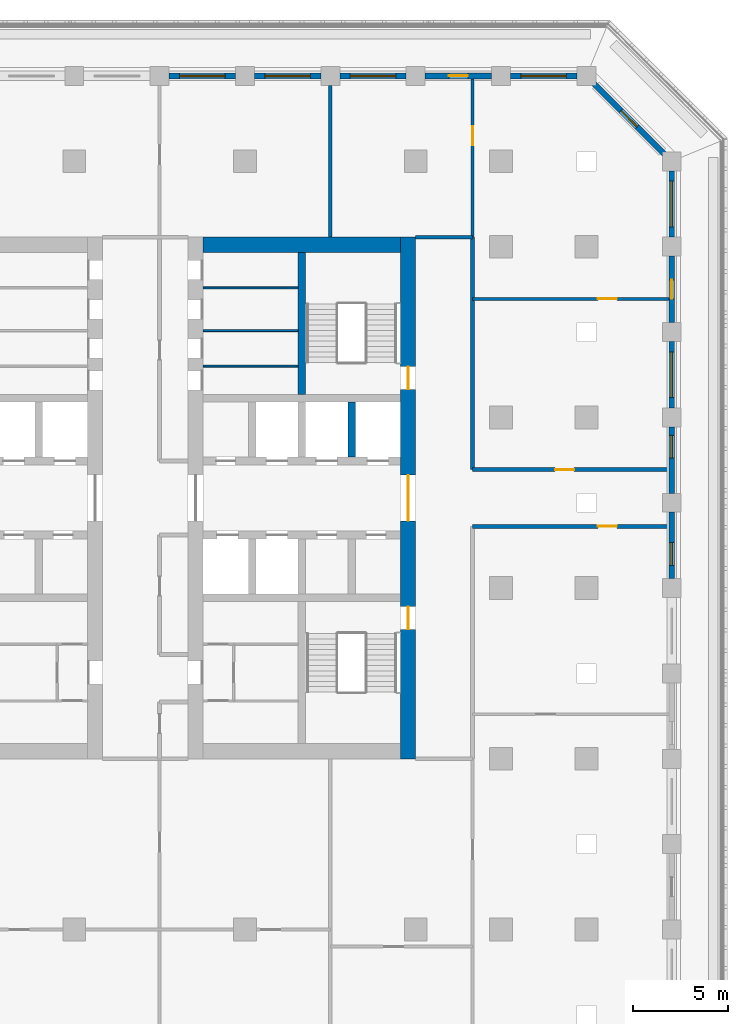
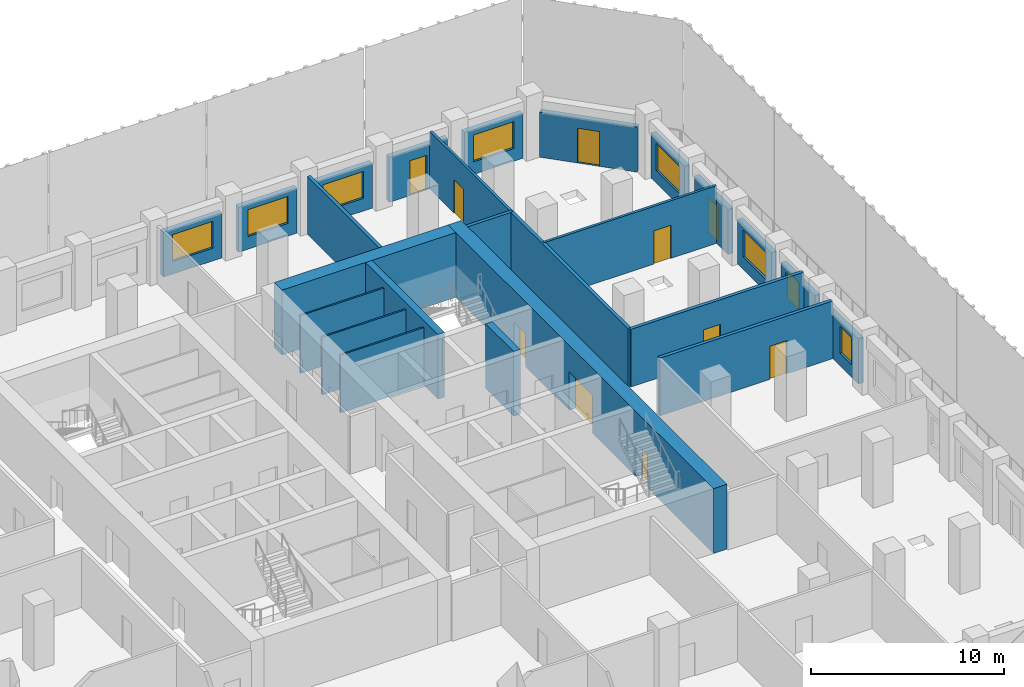
# One storey, part 7 of 16: 25 walls, 10 doors, 8 windows, 18 openings.
"""IFC4 building model written with IfcOpenShell, lengths in metres."""

import ifcopenshell
import ifcopenshell.guid

model = None  # the IFC model being written
_history = None  # IfcOwnerHistory: only IFC2X3 demands one
_inside = {}  # id of a spatial element -> (the spatial element, [elements in it])
_under = {}  # id of a project, library or spatial element -> (it, [spatial elements below it])
_declared = {}  # id of a project -> (the project, [libraries it declares])
_typed = {}  # id of a type object -> (the type object, [elements of that type])
_made_of = {}  # id of a material, layer set ... -> (it, [elements and type objects made of it])


def new_model(schema):
    """Start an empty IFC model of exactly this schema.

    Asked for "IFC4X3", IfcOpenShell would pick the latest addendum, in which some entities
    have other attributes; the version numbers below select the first issue.
    IFC2X3 requires an IfcOwnerHistory on every rooted entity: one is made here for all.
    """
    global model, _history
    if schema == "IFC4X3":
        model = ifcopenshell.file(schema_version=(4, 3, 0, 0))
    else:
        model = ifcopenshell.file(schema=schema)
    _inside.clear()
    _under.clear()
    _declared.clear()
    _typed.clear()
    _made_of.clear()
    _history = None
    if model.schema == "IFC2X3":
        org = make("IfcOrganization", Name="unknown")
        user = make(
            "IfcPersonAndOrganization",
            ThePerson=make("IfcPerson", FamilyName="unknown"),
            TheOrganization=org,
        )
        app = make(
            "IfcApplication",
            ApplicationDeveloper=org,
            Version="unknown",
            ApplicationFullName="unknown",
            ApplicationIdentifier="unknown",
        )
        _history = make(
            "IfcOwnerHistory",
            OwningUser=user,
            OwningApplication=app,
            ChangeAction="ADDED",
            CreationDate=0,
        )
    return model


def make(cls, **values):
    """One entity of the class cls with the attributes given. An attribute that is None is left unset."""
    return model.create_entity(
        cls, **{name: value for name, value in values.items() if value is not None}
    )


def rooted(cls, **values):
    """An entity with a GlobalId (a new one), such as an element, a storey or a relation."""
    return make(cls, GlobalId=ifcopenshell.guid.new(), OwnerHistory=_history, **values)


def si_unit(unit_type, name, prefix=None):
    """IfcSIUnit, for example si_unit("LENGTHUNIT", "METRE", prefix="MILLI")."""
    return make("IfcSIUnit", UnitType=unit_type, Prefix=prefix, Name=name)


def assignment(units):
    """IfcUnitAssignment: the units of a project."""
    return None if units is None else make("IfcUnitAssignment", Units=units)


def point(xyz):
    """IfcCartesianPoint."""
    return None if xyz is None else make("IfcCartesianPoint", Coordinates=xyz)


def direction(xyz):
    """IfcDirection."""
    return None if xyz is None else make("IfcDirection", DirectionRatios=xyz)


def frame(location, z_axis=None, x_axis=None):
    """IfcAxis2Placement3D, a coordinate frame: its origin and axes. An axis left out is left unset."""
    return make(
        "IfcAxis2Placement3D",
        Location=point(location),
        Axis=direction(z_axis),
        RefDirection=direction(x_axis),
    )


def frame_2d(location, x_axis=None):
    """IfcAxis2Placement2D, a coordinate frame in the plane: its origin and x axis."""
    return make(
        "IfcAxis2Placement2D", Location=point(location), RefDirection=direction(x_axis)
    )


def origin():
    """The frame at (0, 0, 0) with its axes left unset."""
    return frame((0.0, 0.0, 0.0))


def place(relative_to, where):
    """IfcLocalPlacement: puts the frame where relative to a parent placement (None: the world)."""
    return make(
        "IfcLocalPlacement", PlacementRelTo=relative_to, RelativePlacement=where
    )


def context(
    kind, dimensions, precision=None, world=None, true_north=None, identifier=None
):
    """IfcGeometricRepresentationContext, for example the 3D "Model" context."""
    return make(
        "IfcGeometricRepresentationContext",
        ContextIdentifier=identifier,
        ContextType=kind,
        CoordinateSpaceDimension=dimensions,
        Precision=precision,
        WorldCoordinateSystem=world,
        TrueNorth=true_north,
    )


def subcontext(parent, identifier, kind, view, scale=None):
    """IfcGeometricRepresentationSubContext, for example "Body" below "Model"."""
    return make(
        "IfcGeometricRepresentationSubContext",
        ContextIdentifier=identifier,
        ContextType=kind,
        ParentContext=parent,
        TargetScale=scale,
        TargetView=view,
    )


def project(units=None, contexts=None):
    """IfcProject with its units and contexts."""
    return rooted(
        "IfcProject",
        Name="project",
        RepresentationContexts=contexts,
        UnitsInContext=assignment(units),
    )


def spatial(cls, under=None, at=None, **own):
    """A site, building, storey or space (cls), placed at a placement, below another one or the project."""
    s = rooted(cls, ObjectPlacement=at, **own)
    if under is not None:
        _under.setdefault(under.id(), (under, []))[1].append(s)
    return s


def profile(cls, at=None, kind="AREA", **sizes):
    """A parametric profile (cls). Its sizes go by their IFC names, for example OverallWidth=200.0."""
    return make(cls, ProfileType=kind, Position=at, **sizes)


def rectangle(**sizes):
    """IfcRectangleProfileDef."""
    return profile("IfcRectangleProfileDef", **sizes)


def extrude(swept, where, along, depth):
    """IfcExtrudedAreaSolid: the profile swept, set in the frame where, extruded along a direction by depth."""
    return make(
        "IfcExtrudedAreaSolid",
        SweptArea=swept,
        Position=where,
        ExtrudedDirection=direction(along),
        Depth=depth,
    )


def shape(context_of_items, identifier, shape_type, items):
    """IfcShapeRepresentation: the items that make up one representation, for example the "Body"."""
    return make(
        "IfcShapeRepresentation",
        ContextOfItems=context_of_items,
        RepresentationIdentifier=identifier,
        RepresentationType=shape_type,
        Items=items,
    )


def material(Name=None, Category=None):
    """IfcMaterial."""
    return make("IfcMaterial", Name=Name, Category=Category)


def layer(
    of_material, thickness, ventilated=None, Name=None, Category=None, Priority=None
):
    """IfcMaterialLayer: one layer of a wall or slab, of a material (None: an air gap)."""
    return make(
        "IfcMaterialLayer",
        Material=of_material,
        LayerThickness=thickness,
        IsVentilated=ventilated,
        Name=Name,
        Category=Category,
        Priority=Priority,
    )


def layer_set(layers, Name=None):
    """IfcMaterialLayerSet."""
    return make("IfcMaterialLayerSet", MaterialLayers=layers, LayerSetName=Name)


def made_of(thing, what):
    """Note that an element or type object is made of a material, layer set ...; save() writes the relation."""
    if what is not None:
        _made_of.setdefault(what.id(), (what, []))[1].append(thing)
    return thing


def type_object(cls, material=None, **own):
    """A type object (cls), such as IfcWallType, which elements share."""
    return made_of(rooted(cls, **own), material)


def element(
    cls,
    number,
    at=None,
    inside=None,
    cuts=None,
    type_object=None,
    material=None,
    context=None,
    identifier="Body",
    shape_type=None,
    held_by="IfcProductDefinitionShape",
    body=None,
    shapes=None,
    **own,
):
    """One element of the class cls, such as IfcWall. Its Tag is "e" and its number.

    at: its placement. inside: the storey or other place that contains it. cuts: it is an
    opening in that element (IfcRelVoidsElement). A single representation is given by context,
    identifier, shape_type and body (its items); several are given by shapes. held_by: the class
    of the entity that holds the representations. save() writes the other relations.
    """
    e = rooted(cls, Tag="e%d" % number, ObjectPlacement=at, **own)
    if body is not None:
        shapes = [shape(context, identifier, shape_type, body)]
    if shapes is not None:
        e.Representation = make(held_by, Representations=shapes)
    if inside is not None:
        _inside.setdefault(inside.id(), (inside, []))[1].append(e)
    if cuts is not None:
        rooted(
            "IfcRelVoidsElement", RelatingBuildingElement=cuts, RelatedOpeningElement=e
        )
    if type_object is not None:
        _typed.setdefault(type_object.id(), (type_object, []))[1].append(e)
    return made_of(e, material)


def fill(opening, filler):
    """IfcRelFillsElement: the door or window that sits in an opening."""
    return rooted(
        "IfcRelFillsElement",
        RelatingOpeningElement=opening,
        RelatedBuildingElement=filler,
    )


def aggregate(whole, parts):
    """IfcRelAggregates: a whole, such as a stair, and the parts it consists of."""
    return rooted("IfcRelAggregates", RelatingObject=whole, RelatedObjects=parts)


def save(model, path):
    """Write the relations noted so far, then the file.

    IfcRelAggregates (storeys below a building ...), IfcRelContainedInSpatialStructure (elements
    in a storey), IfcRelDefinesByType, IfcRelAssociatesMaterial and IfcRelDeclares: one each for
    every whole, place, type object, material and project.
    """
    for whole, parts in _under.values():
        aggregate(whole, parts)
    for where, things in _inside.values():
        rooted(
            "IfcRelContainedInSpatialStructure",
            RelatedElements=things,
            RelatingStructure=where,
        )
    for kind, things in _typed.values():
        rooted("IfcRelDefinesByType", RelatedObjects=things, RelatingType=kind)
    for what, things in _made_of.values():
        rooted("IfcRelAssociatesMaterial", RelatedObjects=things, RelatingMaterial=what)
    for by, libraries in _declared.values():
        rooted("IfcRelDeclares", RelatingContext=by, RelatedDefinitions=libraries)
    model.write(path)


model = new_model("IFC4")

# Units and contexts
model_context = context("Model", 3, precision=1e-05, world=origin(), true_north=direction((0.0, 1.0)))
body_context = subcontext(model_context, "Body", "Model", "MODEL_VIEW")
ifc_project = project(units=[si_unit("LENGTHUNIT", "METRE"), si_unit("AREAUNIT", "SQUARE_METRE"), si_unit("VOLUMEUNIT", "CUBIC_METRE"), si_unit("PLANEANGLEUNIT", "RADIAN"), si_unit("MASSUNIT", "GRAM", prefix="KILO")], contexts=[model_context])

# Site, building, storey
site_placement = place(None, origin())
site = spatial("IfcSite", under=ifc_project, at=site_placement, CompositionType="ELEMENT")
building_placement = place(site_placement, origin())
building = spatial("IfcBuilding", under=site, at=building_placement, Name="Corbel Stack Research Tower", CompositionType="ELEMENT")
storey_placement = place(building_placement, frame((0.0, 0.0, 191.5)))
storey = spatial("IfcBuildingStorey", under=building, at=storey_placement, Name="L43", CompositionType="ELEMENT", Elevation=191.5)

# Walls
ifc_material_1 = material(Name="Concrete C60/75", Category="concrete")
ifc_layer_1 = layer(ifc_material_1, 0.39990234375)
ifc_layer_set_1 = layer_set([ifc_layer_1], Name="Concrete C60/75")
wall_type_1 = type_object("IfcWallType", Name="CW-400-60", PredefinedType="SHEAR", material=ifc_layer_set_1)
wall_1_placement = place(storey_placement, frame((14.625, 6.89990234375, 0.0), z_axis=(0.0, 0.0, 1.0), x_axis=(0.0, 1.0, 0.0)))
element("IfcWall", 1, at=wall_1_placement, inside=storey, type_object=wall_type_1, Name="East core wall, north shaft 3 L43", PredefinedType="SHEAR", context=body_context, shape_type="SweptSolid", body=[
    extrude(rectangle(XDim=2.900146484375, YDim=0.39990234375, at=frame_2d((1.4501953125, 0.0))), origin(), (0.0, 0.0, 1.0), 4.10009765625),
])
wall_2_placement = place(storey_placement, frame((12.0, 10.199951171875, 0.0), z_axis=(0.0, 0.0, 1.0), x_axis=(0.0, 1.0, 0.0)))
element("IfcWall", 2, at=wall_2_placement, inside=storey, type_object=wall_type_1, Name="East core wall, north stair and riser L43", PredefinedType="SHEAR", context=body_context, shape_type="SweptSolid", body=[
    extrude(rectangle(XDim=7.5, YDim=0.39990234375, at=frame_2d((3.75, 0.0))), origin(), (0.0, 0.0, 1.0), 4.10009765625),
])

# Wall, openings, doors
ifc_material_2 = material(Name="Concrete C60/75", Category="concrete")
ifc_layer_2 = layer(ifc_material_2, 0.800048828125)
ifc_layer_set_2 = layer_set([ifc_layer_2], Name="Concrete C60/75")
wall_type_2 = type_object("IfcWallType", Name="CW-800-60", PredefinedType="SHEAR", material=ifc_layer_set_2)
wall_3_placement = place(storey_placement, frame((17.60009765625, -9.0, 0.0), z_axis=(0.0, 0.0, 1.0), x_axis=(0.0, 1.0, 0.0)))
wall_3 = element("IfcWall", 3, at=wall_3_placement, inside=storey, type_object=wall_type_2, Name="East core wall, east face L43", PredefinedType="SHEAR", context=body_context, shape_type="SweptSolid", body=[
    extrude(rectangle(XDim=27.5, YDim=0.800048828125, at=frame_2d((13.75, 0.0))), origin(), (0.0, 0.0, 1.0), 4.10009765625),
])
opening_1_placement = place(wall_3_placement, frame((12.550048828125, 0.0, 0.0)))
opening_1 = element("IfcOpeningElement", 4, at=opening_1_placement, cuts=wall_3, Name="Opening CD-E-E", PredefinedType="OPENING", context=body_context, shape_type="SweptSolid", body=[
    extrude(rectangle(XDim=2.39990234375, YDim=2.39990234375, at=frame_2d((1.199951171875, 1.199951171875))), frame((0.0, 0.409912109375, 0.0), z_axis=(0.0, -1.0, 0.0), x_axis=(1.0, 0.0, 0.0)), (0.0, 0.0, 1.0), 0.820068359375),
])
opening_2_placement = place(wall_3_placement, frame((6.824951171875, 0.0, 0.0)))
opening_2 = element("IfcOpeningElement", 5, at=opening_2_placement, cuts=wall_3, Name="Opening SD-ST-E1", PredefinedType="OPENING", context=body_context, shape_type="SweptSolid", body=[
    extrude(rectangle(XDim=1.199951171875, YDim=2.10009765625, at=frame_2d((0.60009765625, 1.050048828125))), frame((0.0, 0.409912109375, 0.0), z_axis=(0.0, -1.0, 0.0), x_axis=(1.0, 0.0, 0.0)), (0.0, 0.0, 1.0), 0.820068359375),
])
opening_3_placement = place(wall_3_placement, frame((19.47509765625, 0.0, 0.0)))
opening_3 = element("IfcOpeningElement", 6, at=opening_3_placement, cuts=wall_3, Name="Opening SD-ST-E2", PredefinedType="OPENING", context=body_context, shape_type="SweptSolid", body=[
    extrude(rectangle(XDim=1.199951171875, YDim=2.10009765625, at=frame_2d((0.60009765625, 1.050048828125))), frame((0.0, 0.409912109375, 0.0), z_axis=(0.0, -1.0, 0.0), x_axis=(1.0, 0.0, 0.0)), (0.0, 0.0, 1.0), 0.820068359375),
])
ifc_material_3 = material(Name="Painted steel fire door", Category="steel")
door_type_1 = type_object("IfcDoorType", Name="Lobby door pair 2400 x 2400 FD30S", OperationType="DOUBLE_DOOR_DOUBLE_SWING", PredefinedType="DOOR", material=ifc_material_3)
door_1_placement = place(opening_1_placement, origin())
door_1 = element("IfcDoor", 7, at=door_1_placement, inside=storey, type_object=door_type_1, Name="Lift lobby door E core E", OperationType="DOUBLE_DOOR_DOUBLE_SWING", OverallHeight=2.39990234375, OverallWidth=2.39990234375, PredefinedType="DOOR", context=body_context, shape_type="SweptSolid", body=[
    extrude(rectangle(XDim=2.39990234375, YDim=2.39990234375, at=frame_2d((1.199951171875, 1.199951171875))), frame((0.0, 0.02490234375, 0.0), z_axis=(0.0, -1.0, 0.0), x_axis=(1.0, 0.0, 0.0)), (0.0, 0.0, 1.0), 0.050048828125),
])
fill(opening_1, door_1)
ifc_material_4 = material(Name="Painted steel fire door", Category="steel")
door_type_2 = type_object("IfcDoorType", Name="Stair door 1200 x 2100 FD90 right hand", OperationType="SINGLE_SWING_RIGHT", PredefinedType="DOOR", material=ifc_material_4)
door_2_placement = place(opening_2_placement, frame((1.199951171875, 0.0, 0.0), z_axis=(0.0, 0.0, 1.0), x_axis=(-1.0, 0.0, 0.0)))
door_2 = element("IfcDoor", 8, at=door_2_placement, inside=storey, type_object=door_type_2, Name="Stair door ST-E1", OperationType="SINGLE_SWING_LEFT", OverallHeight=2.10009765625, OverallWidth=1.199951171875, PredefinedType="DOOR", context=body_context, shape_type="SweptSolid", body=[
    extrude(rectangle(XDim=1.199951171875, YDim=2.10009765625, at=frame_2d((0.60009765625, 1.050048828125))), frame((0.0, 0.02490234375, 0.0), z_axis=(0.0, -1.0, 0.0), x_axis=(1.0, 0.0, 0.0)), (0.0, 0.0, 1.0), 0.050048828125),
])
fill(opening_2, door_2)
door_3_placement = place(opening_3_placement, frame((1.199951171875, 0.0, 0.0), z_axis=(0.0, 0.0, 1.0), x_axis=(-1.0, 0.0, 0.0)))
door_3 = element("IfcDoor", 9, at=door_3_placement, inside=storey, type_object=door_type_2, Name="Stair door ST-E2", OperationType="SINGLE_SWING_LEFT", OverallHeight=2.10009765625, OverallWidth=1.199951171875, PredefinedType="DOOR", context=body_context, shape_type="SweptSolid", body=[
    extrude(rectangle(XDim=1.199951171875, YDim=2.10009765625, at=frame_2d((0.60009765625, 1.050048828125))), frame((0.0, 0.02490234375, 0.0), z_axis=(0.0, -1.0, 0.0), x_axis=(1.0, 0.0, 0.0)), (0.0, 0.0, 1.0), 0.050048828125),
])
fill(opening_3, door_3)

# Walls
wall_4_placement = place(storey_placement, frame((6.800048828125, 18.10009765625, 0.0), z_axis=(0.0, 0.0, 1.0), x_axis=(1.0, 0.0, 0.0)))
element("IfcWall", 10, at=wall_4_placement, inside=storey, type_object=wall_type_2, Name="East core wall, north end L43", PredefinedType="SHEAR", context=body_context, shape_type="SweptSolid", body=[
    extrude(rectangle(XDim=10.39990234375, YDim=0.800048828125, at=frame_2d((5.199951171875, 0.0))), origin(), (0.0, 0.0, 1.0), 4.10009765625),
])
ifc_material_5 = material(Name="Gypsum board")
ifc_layer_3 = layer(ifc_material_5, 0.10009765625)
ifc_layer_set_3 = layer_set([ifc_layer_3], Name="Gypsum board")
wall_type_3 = type_object("IfcWallType", Name="Core partition 100", PredefinedType="PARTITIONING", material=ifc_layer_set_3)
for number, where, z_axis, x_axis, name in (
    (11, (6.800048828125, 11.699951171875, 0.0), (0.0, 0.0, 1.0), (1.0, 0.0, 0.0), "Core partition E"),
    (12, (6.800048828125, 13.574951171875, 0.0), (0.0, 0.0, 1.0), (1.0, 0.0, 0.0), "Core partition E"),
    (13, (6.800048828125, 15.824951171875, 0.0), (0.0, 0.0, 1.0), (1.0, 0.0, 0.0), "Core partition E"),
):
    element("IfcWall", number, at=place(storey_placement, frame(where, z_axis=z_axis, x_axis=x_axis)), inside=storey, type_object=wall_type_3, Name=name, PredefinedType="PARTITIONING", context=body_context, shape_type="SweptSolid", body=[
        extrude(rectangle(XDim=5.0, YDim=0.10009765625, at=frame_2d((2.5, 0.0))), origin(), (0.0, 0.0, 1.0), 3.64990234375),
    ])

# Wall, opening, door
ifc_material_6 = material(Name="Fire-rated gypsum board partition on steel studs", Category="steel")
ifc_layer_4 = layer(ifc_material_6, 0.14990234375)
ifc_layer_set_4 = layer_set([ifc_layer_4], Name="Fire-rated gypsum board partition on steel studs")
wall_type_4 = type_object("IfcWallType", Name="Fire-rated partition 150 EI 60", PredefinedType="PARTITIONING", material=ifc_layer_set_4)
wall_5_placement = place(storey_placement, frame((21.0, 18.5, 0.0), z_axis=(0.0, 0.0, 1.0), x_axis=(0.0, 1.0, 0.0)))
wall_5 = element("IfcWall", 14, at=wall_5_placement, inside=storey, type_object=wall_type_4, Name="Partition L43-011", PredefinedType="PARTITIONING", context=body_context, shape_type="SweptSolid", body=[
    extrude(rectangle(XDim=8.35009765625, YDim=0.14990234375, at=frame_2d((4.175048828125, 0.0))), origin(), (0.0, 0.0, 1.0), 3.64990234375),
])
opening_4_placement = place(wall_5_placement, frame((4.85009765625, 0.0, 0.0)))
opening_4 = element("IfcOpeningElement", 15, at=opening_4_placement, cuts=wall_5, Name="Opening B6V0H-020", PredefinedType="OPENING", context=body_context, shape_type="SweptSolid", body=[
    extrude(rectangle(XDim=1.0, YDim=2.10009765625, at=frame_2d((0.5, 1.050048828125))), frame((0.0, 0.0849609375, 0.0), z_axis=(0.0, -1.0, 0.0), x_axis=(1.0, 0.0, 0.0)), (0.0, 0.0, 1.0), 0.169921875),
])
ifc_material_7 = material(Name="Painted steel fire door", Category="steel")
door_type_3 = type_object("IfcDoorType", Name="Fire door FD30S 1000 x 2100", OperationType="NOTDEFINED", PredefinedType="DOOR", material=ifc_material_7)
door_4_placement = place(opening_4_placement, origin())
door_4 = element("IfcDoor", 16, at=door_4_placement, inside=storey, type_object=door_type_3, Name="Door B6V0H-020", OperationType="SINGLE_SWING_RIGHT", OverallHeight=2.10009765625, OverallWidth=1.0, PredefinedType="DOOR", context=body_context, shape_type="SweptSolid", body=[
    extrude(rectangle(XDim=1.0, YDim=2.10009765625, at=frame_2d((0.5, 1.050048828125))), frame((0.0, 0.02490234375, 0.0), z_axis=(0.0, -1.0, 0.0), x_axis=(1.0, 0.0, 0.0)), (0.0, 0.0, 1.0), 0.050048828125),
])
fill(opening_4, door_4)

# Walls
ifc_material_8 = material(Name="Fire-rated gypsum board partition on steel studs", Category="steel")
ifc_layer_5 = layer(ifc_material_8, 0.199951171875)
ifc_layer_set_5 = layer_set([ifc_layer_5], Name="Fire-rated gypsum board partition on steel studs")
wall_type_5 = type_object("IfcWallType", Name="Fire-rated partition 200 EI 60", PredefinedType="PARTITIONING", material=ifc_layer_set_5)
wall_6_placement = place(storey_placement, frame((13.5, 18.5, 0.0), z_axis=(0.0, 0.0, 1.0), x_axis=(0.0, 1.0, 0.0)))
element("IfcWall", 17, at=wall_6_placement, inside=storey, type_object=wall_type_5, Name="Partition L43-009", PredefinedType="PARTITIONING", context=body_context, shape_type="SweptSolid", body=[
    extrude(rectangle(XDim=8.0, YDim=0.199951171875, at=frame_2d((4.0, 0.0))), origin(), (0.0, 0.0, 1.0), 3.64990234375),
])
wall_7_placement = place(storey_placement, frame((21.0, 6.25, 0.0), z_axis=(0.0, 0.0, 1.0), x_axis=(0.0, 1.0, 0.0)))
element("IfcWall", 18, at=wall_7_placement, inside=storey, type_object=wall_type_5, Name="Partition L43-013", PredefinedType="PARTITIONING", context=body_context, shape_type="SweptSolid", body=[
    extrude(rectangle(XDim=12.25, YDim=0.199951171875, at=frame_2d((6.125, 0.0))), origin(), (0.0, 0.0, 1.0), 3.64990234375),
])

# Wall, opening, door
wall_8_placement = place(storey_placement, frame((31.35009765625, 3.25, 0.0), z_axis=(0.0, 0.0, 1.0), x_axis=(-1.0, 0.0, 0.0)))
wall_8 = element("IfcWall", 19, at=wall_8_placement, inside=storey, type_object=wall_type_5, Name="Partition L43-028", PredefinedType="PARTITIONING", context=body_context, shape_type="SweptSolid", body=[
    extrude(rectangle(XDim=10.35009765625, YDim=0.199951171875, at=frame_2d((5.175048828125, 0.0))), origin(), (0.0, 0.0, 1.0), 3.64990234375),
])
opening_5_placement = place(wall_8_placement, frame((2.75, 0.0, 0.0)))
opening_5 = element("IfcOpeningElement", 20, at=opening_5_placement, cuts=wall_8, Name="Opening B6V0H-009", PredefinedType="OPENING", context=body_context, shape_type="SweptSolid", body=[
    extrude(rectangle(XDim=1.0, YDim=2.10009765625, at=frame_2d((0.5, 1.050048828125))), frame((0.0, 0.10986328125, 0.0), z_axis=(0.0, -1.0, 0.0), x_axis=(1.0, 0.0, 0.0)), (0.0, 0.0, 1.0), 0.219970703125),
])
door_5_placement = place(opening_5_placement, origin())
door_5 = element("IfcDoor", 21, at=door_5_placement, inside=storey, type_object=door_type_3, Name="Door B6V0H-009", OperationType="SINGLE_SWING_LEFT", OverallHeight=2.10009765625, OverallWidth=1.0, PredefinedType="DOOR", context=body_context, shape_type="SweptSolid", body=[
    extrude(rectangle(XDim=1.0, YDim=2.10009765625, at=frame_2d((0.5, 1.050048828125))), frame((0.0, 0.02490234375, 0.0), z_axis=(0.0, -1.0, 0.0), x_axis=(1.0, 0.0, 0.0)), (0.0, 0.0, 1.0), 0.050048828125),
])
fill(opening_5, door_5)

wall_9_placement = place(storey_placement, frame((21.0, 6.25, 0.0), z_axis=(0.0, 0.0, 1.0), x_axis=(1.0, 0.0, 0.0)))
wall_9 = element("IfcWall", 22, at=wall_9_placement, inside=storey, type_object=wall_type_5, Name="Partition L43-030", PredefinedType="PARTITIONING", context=body_context, shape_type="SweptSolid", body=[
    extrude(rectangle(XDim=10.35009765625, YDim=0.199951171875, at=frame_2d((5.175048828125, 0.0))), origin(), (0.0, 0.0, 1.0), 3.64990234375),
])
opening_6_placement = place(wall_9_placement, frame((4.35009765625, 0.0, 0.0)))
opening_6 = element("IfcOpeningElement", 23, at=opening_6_placement, cuts=wall_9, Name="Opening B6V0H-015", PredefinedType="OPENING", context=body_context, shape_type="SweptSolid", body=[
    extrude(rectangle(XDim=1.0, YDim=2.10009765625, at=frame_2d((0.5, 1.050048828125))), frame((0.0, 0.10986328125, 0.0), z_axis=(0.0, -1.0, 0.0), x_axis=(1.0, 0.0, 0.0)), (0.0, 0.0, 1.0), 0.219970703125),
])
door_6_placement = place(opening_6_placement, origin())
door_6 = element("IfcDoor", 24, at=door_6_placement, inside=storey, type_object=door_type_3, Name="Door B6V0H-015", OperationType="SINGLE_SWING_LEFT", OverallHeight=2.10009765625, OverallWidth=1.0, PredefinedType="DOOR", context=body_context, shape_type="SweptSolid", body=[
    extrude(rectangle(XDim=1.0, YDim=2.10009765625, at=frame_2d((0.5, 1.050048828125))), frame((0.0, 0.02490234375, 0.0), z_axis=(0.0, -1.0, 0.0), x_axis=(1.0, 0.0, 0.0)), (0.0, 0.0, 1.0), 0.050048828125),
])
fill(opening_6, door_6)

# Wall
wall_10_placement = place(storey_placement, frame((18.0, 18.5, 0.0), z_axis=(0.0, 0.0, 1.0), x_axis=(1.0, 0.0, 0.0)))
element("IfcWall", 25, at=wall_10_placement, inside=storey, type_object=wall_type_5, Name="Partition L43-036", PredefinedType="PARTITIONING", context=body_context, shape_type="SweptSolid", body=[
    extrude(rectangle(XDim=3.0, YDim=0.199951171875, at=frame_2d((1.5, 0.0))), origin(), (0.0, 0.0, 1.0), 3.64990234375),
])

# Wall, opening, door
ifc_material_9 = material(Name="Gypsum board partition on steel studs", Category="steel")
ifc_layer_6 = layer(ifc_material_9, 0.14990234375)
ifc_layer_set_6 = layer_set([ifc_layer_6], Name="Gypsum board partition on steel studs")
wall_type_6 = type_object("IfcWallType", Name="Partition 150", PredefinedType="PARTITIONING", material=ifc_layer_set_6)
wall_11_placement = place(storey_placement, frame((21.0, 15.25, 0.0), z_axis=(0.0, 0.0, 1.0), x_axis=(1.0, 0.0, 0.0)))
wall_11 = element("IfcWall", 26, at=wall_11_placement, inside=storey, type_object=wall_type_6, Name="Partition L43-033", PredefinedType="PARTITIONING", context=body_context, shape_type="SweptSolid", body=[
    extrude(rectangle(XDim=10.35009765625, YDim=0.14990234375, at=frame_2d((5.175048828125, 0.0))), origin(), (0.0, 0.0, 1.0), 3.64990234375),
])
opening_7_placement = place(wall_11_placement, frame((6.60009765625, 0.0, 0.0)))
opening_7 = element("IfcOpeningElement", 27, at=opening_7_placement, cuts=wall_11, Name="Opening B6V0H-017", PredefinedType="OPENING", context=body_context, shape_type="SweptSolid", body=[
    extrude(rectangle(XDim=1.0, YDim=2.10009765625, at=frame_2d((0.5, 1.050048828125))), frame((0.0, 0.0849609375, 0.0), z_axis=(0.0, -1.0, 0.0), x_axis=(1.0, 0.0, 0.0)), (0.0, 0.0, 1.0), 0.169921875),
])
ifc_material_10 = material(Name="Painted timber door", Category="wood")
door_type_4 = type_object("IfcDoorType", Name="Single door 1000 x 2100", OperationType="NOTDEFINED", PredefinedType="DOOR", material=ifc_material_10)
door_7_placement = place(opening_7_placement, origin())
door_7 = element("IfcDoor", 28, at=door_7_placement, inside=storey, type_object=door_type_4, Name="Door B6V0H-017", OperationType="SINGLE_SWING_RIGHT", OverallHeight=2.10009765625, OverallWidth=1.0, PredefinedType="DOOR", context=body_context, shape_type="SweptSolid", body=[
    extrude(rectangle(XDim=1.0, YDim=2.10009765625, at=frame_2d((0.5, 1.050048828125))), frame((0.0, 0.02490234375, 0.0), z_axis=(0.0, -1.0, 0.0), x_axis=(1.0, 0.0, 0.0)), (0.0, 0.0, 1.0), 0.050048828125),
])
fill(opening_7, door_7)

# Wall, opening, window
ifc_material_11 = material(Name="Concrete C45/55", Category="concrete")
ifc_layer_7 = layer(ifc_material_11, 0.300048828125)
ifc_layer_set_7 = layer_set([ifc_layer_7], Name="Concrete C45/55")
wall_type_7 = type_object("IfcWallType", Name="Terracotta-faced concrete wall 300", PredefinedType="SOLIDWALL", material=ifc_layer_set_7)
wall_12_placement = place(storey_placement, frame((31.5, 4.0, 0.0), z_axis=(0.0, 0.0, 1.0), x_axis=(0.0, -1.0, 0.0)))
wall_12 = element("IfcWall", 29, at=wall_12_placement, inside=storey, type_object=wall_type_7, Name="Facade wall L43 E06", PredefinedType="SOLIDWALL", context=body_context, shape_type="SweptSolid", body=[
    extrude(rectangle(XDim=3.5, YDim=0.300048828125, at=frame_2d((1.75, 0.0))), origin(), (0.0, 0.0, 1.0), 2.85009765625),
])
opening_8_placement = place(wall_12_placement, frame((1.60009765625, 0.0, 0.800048828125)))
opening_8 = element("IfcOpeningElement", 30, at=opening_8_placement, cuts=wall_12, Name="Opening W2", PredefinedType="OPENING", context=body_context, shape_type="SweptSolid", body=[
    extrude(rectangle(XDim=1.199951171875, YDim=1.699951171875, at=frame_2d((0.60009765625, 0.85009765625))), frame((0.0, 0.159912109375, 0.0), z_axis=(0.0, -1.0, 0.0), x_axis=(1.0, 0.0, 0.0)), (0.0, 0.0, 1.0), 0.320068359375),
])
ifc_material_12 = material(Name="Aluminium frame, clear double glazing", Category="aluminium")
window_type_1 = type_object("IfcWindowType", Name="Window W2 1200 x 1700", PartitioningType="SINGLE_PANEL", PredefinedType="WINDOW", material=ifc_material_12)
window_1_placement = place(opening_8_placement, origin())
window_1 = element("IfcWindow", 31, at=window_1_placement, inside=storey, type_object=window_type_1, Name="Window W2 L43 E06", OverallHeight=1.699951171875, OverallWidth=1.199951171875, PartitioningType="SINGLE_PANEL", PredefinedType="WINDOW", context=body_context, shape_type="SweptSolid", body=[
    extrude(rectangle(XDim=1.199951171875, YDim=1.699951171875, at=frame_2d((0.60009765625, 0.85009765625))), frame((0.0, 0.030029296875, 0.0), z_axis=(0.0, -1.0, 0.0), x_axis=(1.0, 0.0, 0.0)), (0.0, 0.0, 1.0), 0.06005859375),
])
fill(opening_8, window_1)

wall_13_placement = place(storey_placement, frame((31.5, 8.5, 0.0), z_axis=(0.0, 0.0, 1.0), x_axis=(0.0, -1.0, 0.0)))
wall_13 = element("IfcWall", 32, at=wall_13_placement, inside=storey, type_object=wall_type_7, Name="Facade wall L43 E07", PredefinedType="SOLIDWALL", context=body_context, shape_type="SweptSolid", body=[
    extrude(rectangle(XDim=3.5, YDim=0.300048828125, at=frame_2d((1.75, 0.0))), origin(), (0.0, 0.0, 1.0), 2.85009765625),
])
opening_9_placement = place(wall_13_placement, frame((0.449951171875, 0.0, 0.800048828125)))
opening_9 = element("IfcOpeningElement", 33, at=opening_9_placement, cuts=wall_13, Name="Opening W2", PredefinedType="OPENING", context=body_context, shape_type="SweptSolid", body=[
    extrude(rectangle(XDim=1.199951171875, YDim=1.699951171875, at=frame_2d((0.60009765625, 0.85009765625))), frame((0.0, 0.159912109375, 0.0), z_axis=(0.0, -1.0, 0.0), x_axis=(1.0, 0.0, 0.0)), (0.0, 0.0, 1.0), 0.320068359375),
])
window_2_placement = place(opening_9_placement, origin())
window_2 = element("IfcWindow", 34, at=window_2_placement, inside=storey, type_object=window_type_1, Name="Window W2 L43 E07", OverallHeight=1.699951171875, OverallWidth=1.199951171875, PartitioningType="SINGLE_PANEL", PredefinedType="WINDOW", context=body_context, shape_type="SweptSolid", body=[
    extrude(rectangle(XDim=1.199951171875, YDim=1.699951171875, at=frame_2d((0.60009765625, 0.85009765625))), frame((0.0, 0.030029296875, 0.0), z_axis=(0.0, -1.0, 0.0), x_axis=(1.0, 0.0, 0.0)), (0.0, 0.0, 1.0), 0.06005859375),
])
fill(opening_9, window_2)

wall_14_placement = place(storey_placement, frame((31.5, 13.0, 0.0), z_axis=(0.0, 0.0, 1.0), x_axis=(0.0, -1.0, 0.0)))
wall_14 = element("IfcWall", 35, at=wall_14_placement, inside=storey, type_object=wall_type_7, Name="Facade wall L43 E08", PredefinedType="SOLIDWALL", context=body_context, shape_type="SweptSolid", body=[
    extrude(rectangle(XDim=3.5, YDim=0.300048828125, at=frame_2d((1.75, 0.0))), origin(), (0.0, 0.0, 1.0), 2.85009765625),
])
opening_10_placement = place(wall_14_placement, frame((0.550048828125, 0.0, 0.800048828125)))
opening_10 = element("IfcOpeningElement", 36, at=opening_10_placement, cuts=wall_14, Name="Opening W1", PredefinedType="OPENING", context=body_context, shape_type="SweptSolid", body=[
    extrude(rectangle(XDim=2.39990234375, YDim=1.699951171875, at=frame_2d((1.199951171875, 0.85009765625))), frame((0.0, 0.159912109375, 0.0), z_axis=(0.0, -1.0, 0.0), x_axis=(1.0, 0.0, 0.0)), (0.0, 0.0, 1.0), 0.320068359375),
])
ifc_material_13 = material(Name="Aluminium frame, clear double glazing", Category="aluminium")
window_type_2 = type_object("IfcWindowType", Name="Window W1 2400 x 1700", PartitioningType="SINGLE_PANEL", PredefinedType="WINDOW", material=ifc_material_13)
window_3_placement = place(opening_10_placement, origin())
window_3 = element("IfcWindow", 37, at=window_3_placement, inside=storey, type_object=window_type_2, Name="Window W1 L43 E08", OverallHeight=1.699951171875, OverallWidth=2.39990234375, PartitioningType="SINGLE_PANEL", PredefinedType="WINDOW", context=body_context, shape_type="SweptSolid", body=[
    extrude(rectangle(XDim=2.39990234375, YDim=1.699951171875, at=frame_2d((1.199951171875, 0.85009765625))), frame((0.0, 0.030029296875, 0.0), z_axis=(0.0, -1.0, 0.0), x_axis=(1.0, 0.0, 0.0)), (0.0, 0.0, 1.0), 0.06005859375),
])
fill(opening_10, window_3)

# Wall, opening, door
wall_15_placement = place(storey_placement, frame((31.5, 17.5, 0.0), z_axis=(0.0, 0.0, 1.0), x_axis=(0.0, -1.0, 0.0)))
wall_15 = element("IfcWall", 38, at=wall_15_placement, inside=storey, type_object=wall_type_7, Name="Facade wall L43 E09", PredefinedType="SOLIDWALL", context=body_context, shape_type="SweptSolid", body=[
    extrude(rectangle(XDim=3.5, YDim=0.300048828125, at=frame_2d((1.75, 0.0))), origin(), (0.0, 0.0, 1.0), 2.85009765625),
])
opening_11_placement = place(wall_15_placement, frame((1.25, 0.0, 0.0)))
opening_11 = element("IfcOpeningElement", 39, at=opening_11_placement, cuts=wall_15, Name="Opening L43-B05", PredefinedType="OPENING", context=body_context, shape_type="SweptSolid", body=[
    extrude(rectangle(XDim=1.0, YDim=2.199951171875, at=frame_2d((0.5, 1.10009765625))), frame((0.0, 0.159912109375, 0.0), z_axis=(0.0, -1.0, 0.0), x_axis=(1.0, 0.0, 0.0)), (0.0, 0.0, 1.0), 0.320068359375),
])
ifc_material_14 = material(Name="Aluminium frame, clear double glazing", Category="aluminium")
door_type_5 = type_object("IfcDoorType", Name="Balcony door BD1 1000 x 2200", OperationType="NOTDEFINED", PredefinedType="DOOR", material=ifc_material_14)
door_8_placement = place(opening_11_placement, origin())
door_8 = element("IfcDoor", 40, at=door_8_placement, inside=storey, type_object=door_type_5, Name="Balcony door L43-B05", OperationType="SINGLE_SWING_RIGHT", OverallHeight=2.199951171875, OverallWidth=1.0, PredefinedType="DOOR", context=body_context, shape_type="SweptSolid", body=[
    extrude(rectangle(XDim=1.0, YDim=2.199951171875, at=frame_2d((0.5, 1.10009765625))), frame((0.0, 0.02490234375, 0.0), z_axis=(0.0, -1.0, 0.0), x_axis=(1.0, 0.0, 0.0)), (0.0, 0.0, 1.0), 0.050048828125),
])
fill(opening_11, door_8)

# Wall, opening, window
wall_16_placement = place(storey_placement, frame((31.5, 22.0, 0.0), z_axis=(0.0, 0.0, 1.0), x_axis=(0.0, -1.0, 0.0)))
wall_16 = element("IfcWall", 41, at=wall_16_placement, inside=storey, type_object=wall_type_7, Name="Facade wall L43 E10", PredefinedType="SOLIDWALL", context=body_context, shape_type="SweptSolid", body=[
    extrude(rectangle(XDim=3.5, YDim=0.300048828125, at=frame_2d((1.75, 0.0))), origin(), (0.0, 0.0, 1.0), 2.85009765625),
])
opening_12_placement = place(wall_16_placement, frame((0.550048828125, 0.0, 0.800048828125)))
opening_12 = element("IfcOpeningElement", 42, at=opening_12_placement, cuts=wall_16, Name="Opening W1", PredefinedType="OPENING", context=body_context, shape_type="SweptSolid", body=[
    extrude(rectangle(XDim=2.39990234375, YDim=1.699951171875, at=frame_2d((1.199951171875, 0.85009765625))), frame((0.0, 0.159912109375, 0.0), z_axis=(0.0, -1.0, 0.0), x_axis=(1.0, 0.0, 0.0)), (0.0, 0.0, 1.0), 0.320068359375),
])
window_4_placement = place(opening_12_placement, origin())
window_4 = element("IfcWindow", 43, at=window_4_placement, inside=storey, type_object=window_type_2, Name="Window W1 L43 E10", OverallHeight=1.699951171875, OverallWidth=2.39990234375, PartitioningType="SINGLE_PANEL", PredefinedType="WINDOW", context=body_context, shape_type="SweptSolid", body=[
    extrude(rectangle(XDim=2.39990234375, YDim=1.699951171875, at=frame_2d((1.199951171875, 0.85009765625))), frame((0.0, 0.030029296875, 0.0), z_axis=(0.0, -1.0, 0.0), x_axis=(1.0, 0.0, 0.0)), (0.0, 0.0, 1.0), 0.06005859375),
])
fill(opening_12, window_4)

# Wall, opening, door
wall_17_placement = place(storey_placement, frame((27.393798828125, 26.606201171875, 0.0), z_axis=(0.0, 0.0, 1.0), x_axis=(0.707106781187, -0.707106781187, 0.0)))
wall_17 = element("IfcWall", 44, at=wall_17_placement, inside=storey, type_object=wall_type_7, Name="Facade wall L43 NE01", PredefinedType="SOLIDWALL", context=body_context, shape_type="SweptSolid", body=[
    extrude(rectangle(XDim=5.250244140625, YDim=0.300048828125, at=frame_2d((2.625, 0.0))), origin(), (0.0, 0.0, 1.0), 2.85009765625),
])
opening_13_placement = place(wall_17_placement, frame((2.02490234375, 0.0, 0.0)))
opening_13 = element("IfcOpeningElement", 45, at=opening_13_placement, cuts=wall_17, Name="Opening L43-B06", PredefinedType="OPENING", context=body_context, shape_type="SweptSolid", body=[
    extrude(rectangle(XDim=1.199951171875, YDim=2.199951171875, at=frame_2d((0.60009765625, 1.10009765625))), frame((0.0, 0.159912109375, 0.0), z_axis=(0.0, -1.0, 0.0), x_axis=(1.0, 0.0, 0.0)), (0.0, 0.0, 1.0), 0.320068359375),
])
ifc_material_15 = material(Name="Aluminium frame, clear double glazing", Category="aluminium")
door_type_6 = type_object("IfcDoorType", Name="Balcony door BD2 1200 x 2200", OperationType="NOTDEFINED", PredefinedType="DOOR", material=ifc_material_15)
door_9_placement = place(opening_13_placement, origin())
door_9 = element("IfcDoor", 46, at=door_9_placement, inside=storey, type_object=door_type_6, Name="Balcony door L43-B06", OperationType="SINGLE_SWING_RIGHT", OverallHeight=2.199951171875, OverallWidth=1.199951171875, PredefinedType="DOOR", context=body_context, shape_type="SweptSolid", body=[
    extrude(rectangle(XDim=1.199951171875, YDim=2.199951171875, at=frame_2d((0.60009765625, 1.10009765625))), frame((0.0, 0.02490234375, 0.0), z_axis=(0.0, -1.0, 0.0), x_axis=(1.0, 0.0, 0.0)), (0.0, 0.0, 1.0), 0.050048828125),
])
fill(opening_13, door_9)

# Wall, opening, window
wall_18_placement = place(storey_placement, frame((23.0, 27.0, 0.0), z_axis=(0.0, 0.0, 1.0), x_axis=(1.0, 0.0, 0.0)))
wall_18 = element("IfcWall", 47, at=wall_18_placement, inside=storey, type_object=wall_type_7, Name="Facade wall L43 N01", PredefinedType="SOLIDWALL", context=body_context, shape_type="SweptSolid", body=[
    extrude(rectangle(XDim=3.5, YDim=0.300048828125, at=frame_2d((1.75, 0.0))), origin(), (0.0, 0.0, 1.0), 2.85009765625),
])
opening_14_placement = place(wall_18_placement, frame((0.550048828125, 0.0, 0.800048828125)))
opening_14 = element("IfcOpeningElement", 48, at=opening_14_placement, cuts=wall_18, Name="Opening W1", PredefinedType="OPENING", context=body_context, shape_type="SweptSolid", body=[
    extrude(rectangle(XDim=2.39990234375, YDim=1.699951171875, at=frame_2d((1.199951171875, 0.85009765625))), frame((0.0, 0.159912109375, 0.0), z_axis=(0.0, -1.0, 0.0), x_axis=(1.0, 0.0, 0.0)), (0.0, 0.0, 1.0), 0.320068359375),
])
window_5_placement = place(opening_14_placement, origin())
window_5 = element("IfcWindow", 49, at=window_5_placement, inside=storey, type_object=window_type_2, Name="Window W1 L43 N01", OverallHeight=1.699951171875, OverallWidth=2.39990234375, PartitioningType="SINGLE_PANEL", PredefinedType="WINDOW", context=body_context, shape_type="SweptSolid", body=[
    extrude(rectangle(XDim=2.39990234375, YDim=1.699951171875, at=frame_2d((1.199951171875, 0.85009765625))), frame((0.0, 0.030029296875, 0.0), z_axis=(0.0, -1.0, 0.0), x_axis=(1.0, 0.0, 0.0)), (0.0, 0.0, 1.0), 0.06005859375),
])
fill(opening_14, window_5)

# Wall, opening, door
wall_19_placement = place(storey_placement, frame((18.5, 27.0, 0.0), z_axis=(0.0, 0.0, 1.0), x_axis=(1.0, 0.0, 0.0)))
wall_19 = element("IfcWall", 50, at=wall_19_placement, inside=storey, type_object=wall_type_7, Name="Facade wall L43 N02", PredefinedType="SOLIDWALL", context=body_context, shape_type="SweptSolid", body=[
    extrude(rectangle(XDim=3.5, YDim=0.300048828125, at=frame_2d((1.75, 0.0))), origin(), (0.0, 0.0, 1.0), 2.85009765625),
])
opening_15_placement = place(wall_19_placement, frame((1.25, 0.0, 0.0)))
opening_15 = element("IfcOpeningElement", 51, at=opening_15_placement, cuts=wall_19, Name="Opening L43-B07", PredefinedType="OPENING", context=body_context, shape_type="SweptSolid", body=[
    extrude(rectangle(XDim=1.0, YDim=2.199951171875, at=frame_2d((0.5, 1.10009765625))), frame((0.0, 0.159912109375, 0.0), z_axis=(0.0, -1.0, 0.0), x_axis=(1.0, 0.0, 0.0)), (0.0, 0.0, 1.0), 0.320068359375),
])
door_10_placement = place(opening_15_placement, origin())
door_10 = element("IfcDoor", 52, at=door_10_placement, inside=storey, type_object=door_type_5, Name="Balcony door L43-B07", OperationType="SINGLE_SWING_LEFT", OverallHeight=2.199951171875, OverallWidth=1.0, PredefinedType="DOOR", context=body_context, shape_type="SweptSolid", body=[
    extrude(rectangle(XDim=1.0, YDim=2.199951171875, at=frame_2d((0.5, 1.10009765625))), frame((0.0, 0.02490234375, 0.0), z_axis=(0.0, -1.0, 0.0), x_axis=(1.0, 0.0, 0.0)), (0.0, 0.0, 1.0), 0.050048828125),
])
fill(opening_15, door_10)

# Wall, opening, window
wall_20_placement = place(storey_placement, frame((14.0, 27.0, 0.0), z_axis=(0.0, 0.0, 1.0), x_axis=(1.0, 0.0, 0.0)))
wall_20 = element("IfcWall", 53, at=wall_20_placement, inside=storey, type_object=wall_type_7, Name="Facade wall L43 N03", PredefinedType="SOLIDWALL", context=body_context, shape_type="SweptSolid", body=[
    extrude(rectangle(XDim=3.5, YDim=0.300048828125, at=frame_2d((1.75, 0.0))), origin(), (0.0, 0.0, 1.0), 2.85009765625),
])
opening_16_placement = place(wall_20_placement, frame((0.550048828125, 0.0, 0.800048828125)))
opening_16 = element("IfcOpeningElement", 54, at=opening_16_placement, cuts=wall_20, Name="Opening W1", PredefinedType="OPENING", context=body_context, shape_type="SweptSolid", body=[
    extrude(rectangle(XDim=2.39990234375, YDim=1.699951171875, at=frame_2d((1.199951171875, 0.85009765625))), frame((0.0, 0.159912109375, 0.0), z_axis=(0.0, -1.0, 0.0), x_axis=(1.0, 0.0, 0.0)), (0.0, 0.0, 1.0), 0.320068359375),
])
window_6_placement = place(opening_16_placement, origin())
window_6 = element("IfcWindow", 55, at=window_6_placement, inside=storey, type_object=window_type_2, Name="Window W1 L43 N03", OverallHeight=1.699951171875, OverallWidth=2.39990234375, PartitioningType="SINGLE_PANEL", PredefinedType="WINDOW", context=body_context, shape_type="SweptSolid", body=[
    extrude(rectangle(XDim=2.39990234375, YDim=1.699951171875, at=frame_2d((1.199951171875, 0.85009765625))), frame((0.0, 0.030029296875, 0.0), z_axis=(0.0, -1.0, 0.0), x_axis=(1.0, 0.0, 0.0)), (0.0, 0.0, 1.0), 0.06005859375),
])
fill(opening_16, window_6)

wall_21_placement = place(storey_placement, frame((9.5, 27.0, 0.0), z_axis=(0.0, 0.0, 1.0), x_axis=(1.0, 0.0, 0.0)))
wall_21 = element("IfcWall", 56, at=wall_21_placement, inside=storey, type_object=wall_type_7, Name="Facade wall L43 N04", PredefinedType="SOLIDWALL", context=body_context, shape_type="SweptSolid", body=[
    extrude(rectangle(XDim=3.5, YDim=0.300048828125, at=frame_2d((1.75, 0.0))), origin(), (0.0, 0.0, 1.0), 2.85009765625),
])
opening_17_placement = place(wall_21_placement, frame((0.550048828125, 0.0, 0.800048828125)))
opening_17 = element("IfcOpeningElement", 57, at=opening_17_placement, cuts=wall_21, Name="Opening W1", PredefinedType="OPENING", context=body_context, shape_type="SweptSolid", body=[
    extrude(rectangle(XDim=2.39990234375, YDim=1.699951171875, at=frame_2d((1.199951171875, 0.85009765625))), frame((0.0, 0.159912109375, 0.0), z_axis=(0.0, -1.0, 0.0), x_axis=(1.0, 0.0, 0.0)), (0.0, 0.0, 1.0), 0.320068359375),
])
window_7_placement = place(opening_17_placement, origin())
window_7 = element("IfcWindow", 58, at=window_7_placement, inside=storey, type_object=window_type_2, Name="Window W1 L43 N04", OverallHeight=1.699951171875, OverallWidth=2.39990234375, PartitioningType="SINGLE_PANEL", PredefinedType="WINDOW", context=body_context, shape_type="SweptSolid", body=[
    extrude(rectangle(XDim=2.39990234375, YDim=1.699951171875, at=frame_2d((1.199951171875, 0.85009765625))), frame((0.0, 0.030029296875, 0.0), z_axis=(0.0, -1.0, 0.0), x_axis=(1.0, 0.0, 0.0)), (0.0, 0.0, 1.0), 0.06005859375),
])
fill(opening_17, window_7)

wall_22_placement = place(storey_placement, frame((5.0, 27.0, 0.0), z_axis=(0.0, 0.0, 1.0), x_axis=(1.0, 0.0, 0.0)))
wall_22 = element("IfcWall", 59, at=wall_22_placement, inside=storey, type_object=wall_type_7, Name="Facade wall L43 N05", PredefinedType="SOLIDWALL", context=body_context, shape_type="SweptSolid", body=[
    extrude(rectangle(XDim=3.5, YDim=0.300048828125, at=frame_2d((1.75, 0.0))), origin(), (0.0, 0.0, 1.0), 2.85009765625),
])
opening_18_placement = place(wall_22_placement, frame((0.550048828125, 0.0, 0.800048828125)))
opening_18 = element("IfcOpeningElement", 60, at=opening_18_placement, cuts=wall_22, Name="Opening W1", PredefinedType="OPENING", context=body_context, shape_type="SweptSolid", body=[
    extrude(rectangle(XDim=2.39990234375, YDim=1.699951171875, at=frame_2d((1.199951171875, 0.85009765625))), frame((0.0, 0.159912109375, 0.0), z_axis=(0.0, -1.0, 0.0), x_axis=(1.0, 0.0, 0.0)), (0.0, 0.0, 1.0), 0.320068359375),
])
window_8_placement = place(opening_18_placement, origin())
window_8 = element("IfcWindow", 61, at=window_8_placement, inside=storey, type_object=window_type_2, Name="Window W1 L43 N05", OverallHeight=1.699951171875, OverallWidth=2.39990234375, PartitioningType="SINGLE_PANEL", PredefinedType="WINDOW", context=body_context, shape_type="SweptSolid", body=[
    extrude(rectangle(XDim=2.39990234375, YDim=1.699951171875, at=frame_2d((1.199951171875, 0.85009765625))), frame((0.0, 0.030029296875, 0.0), z_axis=(0.0, -1.0, 0.0), x_axis=(1.0, 0.0, 0.0)), (0.0, 0.0, 1.0), 0.06005859375),
])
fill(opening_18, window_8)

save(model, "model.ifc")
